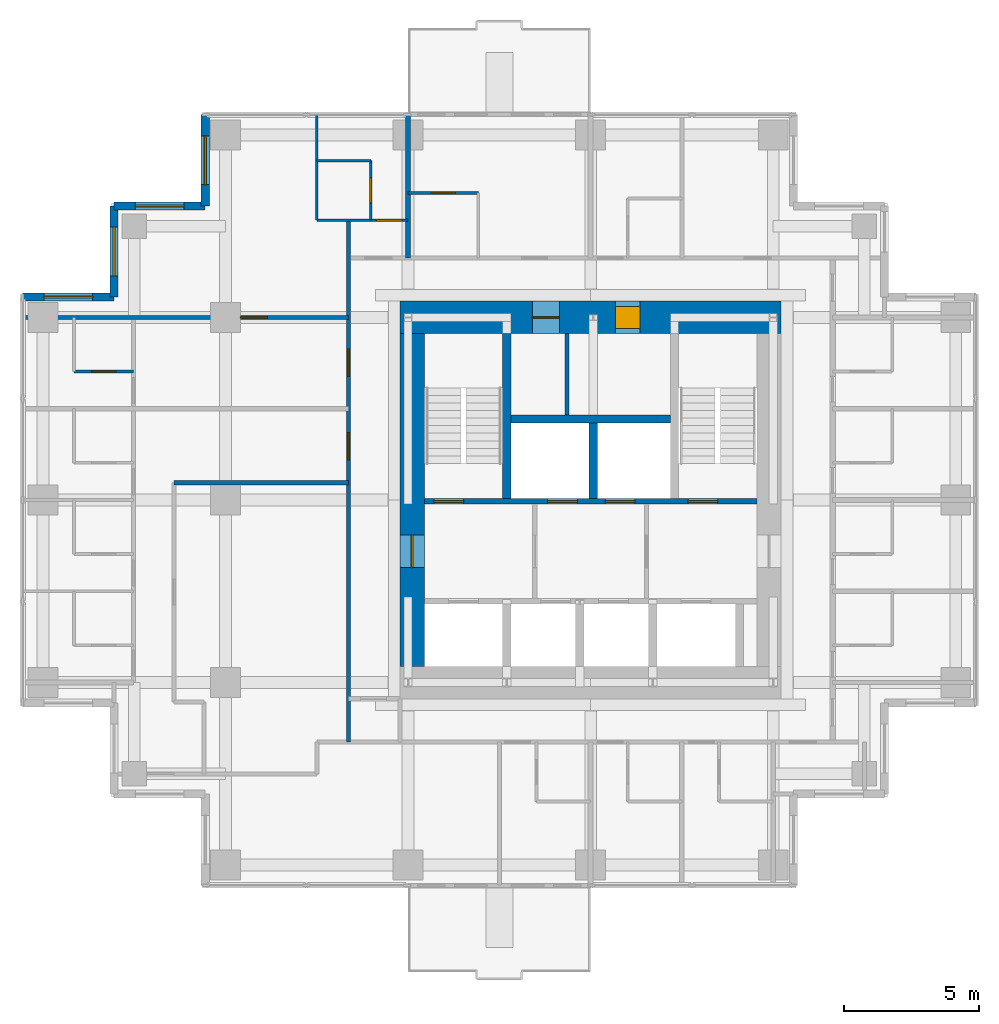
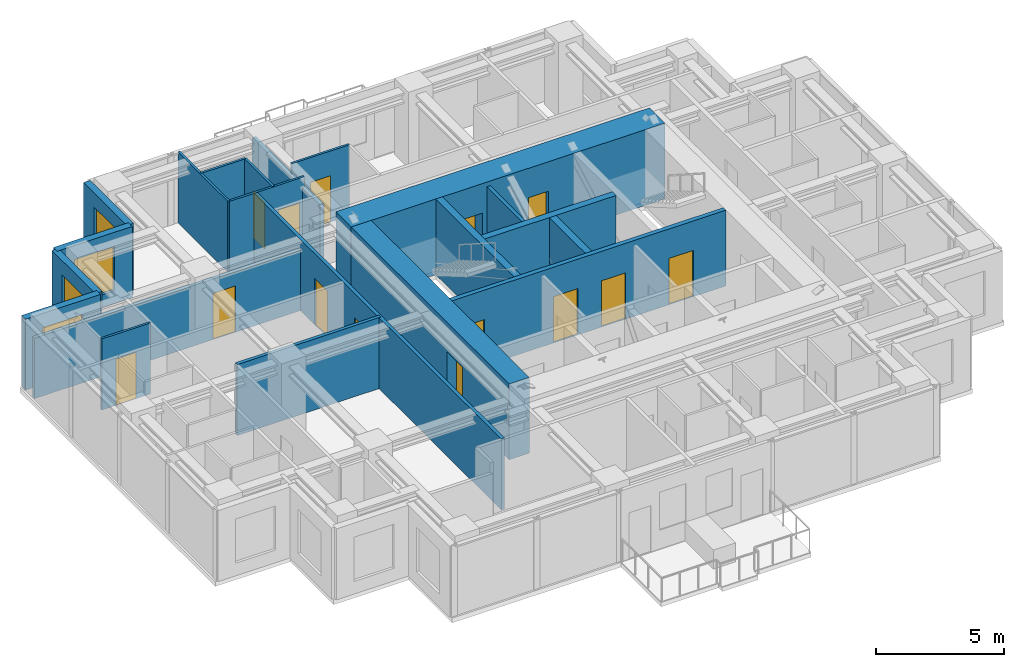
# One storey, part 5 of 8: 21 walls, 14 doors, 4 windows, 18 openings.
"""IFC4 building model written with IfcOpenShell, lengths in metres."""

from ifc_helpers import new_model, si_unit, direction, frame, frame_2d, origin, place, context, subcontext, project, spatial, rectangle, extrude, material, layer, layer_set, type_object, element, fill, save


model = new_model("IFC4")

# Units and contexts
model_context = context("Model", 3, precision=1e-05, world=origin(), true_north=direction((0.0, 1.0)))
body_context = subcontext(model_context, "Body", "Model", "MODEL_VIEW")
ifc_project = project(units=[si_unit("LENGTHUNIT", "METRE"), si_unit("AREAUNIT", "SQUARE_METRE"), si_unit("VOLUMEUNIT", "CUBIC_METRE"), si_unit("PLANEANGLEUNIT", "RADIAN"), si_unit("MASSUNIT", "GRAM", prefix="KILO")], contexts=[model_context])

# Site, building, storey
site_placement = place(None, origin())
site = spatial("IfcSite", under=ifc_project, at=site_placement, CompositionType="ELEMENT")
building_placement = place(site_placement, origin())
building = spatial("IfcBuilding", under=site, at=building_placement, Name="Nyansa Garden Tower", CompositionType="ELEMENT")
storey_placement = place(building_placement, frame((0.0, 0.0, 218.699951171875)))
storey = spatial("IfcBuildingStorey", under=building, at=storey_placement, Name="L59", CompositionType="ELEMENT", Elevation=218.699951171875)

# Wall
ifc_material_1 = material(Name="Dense blockwork, plastered both sides, 55 dB", Category="masonry")
ifc_layer_1 = layer(ifc_material_1, 0.175048828125)
ifc_layer_set_1 = layer_set([ifc_layer_1], Name="Acoustic party wall PW175")
wall_type_1 = type_object("IfcWallType", Name="Acoustic party wall PW175", PredefinedType="PARTITIONING", material=ifc_layer_set_1)
wall_1_placement = place(storey_placement, frame((13.5, 29.199951171875, 0.0), z_axis=(0.0, 0.0, 1.0), x_axis=(0.0, 1.0, 0.0)))
element("IfcWall", 1, at=wall_1_placement, inside=storey, type_object=wall_type_1, Name="Party wall", PredefinedType="PARTITIONING", context=body_context, shape_type="SweptSolid", body=[
    extrude(rectangle(XDim=5.283935546875, YDim=0.175048828125, at=frame_2d((2.64208984375, 0.0))), origin(), (0.0, 0.0, 1.0), 2.876953125),
])

# Wall, openings, doors
ifc_material_2 = material(Name="Concrete C70/85", Category="concrete")
ifc_layer_2 = layer(ifc_material_2, 0.199951171875)
ifc_layer_set_2 = layer_set([ifc_layer_2], Name="Core inner wall CI200")
wall_type_2 = type_object("IfcWallType", Name="Core inner wall CI200", PredefinedType="SHEAR", material=ifc_layer_set_2)
wall_2_placement = place(storey_placement, frame((14.10009765625, 20.199951171875, 0.0), z_axis=(0.0, 0.0, 1.0), x_axis=(1.0, 0.0, 0.0)))
wall_2 = element("IfcWall", 2, at=wall_2_placement, inside=storey, type_object=wall_type_2, Name="Core inner wall L59", PredefinedType="SHEAR", context=body_context, shape_type="SweptSolid", body=[
    extrude(rectangle(XDim=12.2998046875, YDim=0.199951171875, at=frame_2d((6.14990234375, 0.0))), origin(), (0.0, 0.0, 1.0), 3.60009765625),
])
opening_1_placement = place(wall_2_placement, frame((4.56005859375, 0.0, 0.0)))
opening_1 = element("IfcOpeningElement", 3, at=opening_1_placement, cuts=wall_2, Name="Opening LD-B", PredefinedType="OPENING", context=body_context, shape_type="SweptSolid", body=[
    extrude(rectangle(XDim=1.10009765625, YDim=2.199951171875, at=frame_2d((0.550048828125, 1.10009765625))), frame((0.0, 0.10986328125, 0.0), z_axis=(0.0, -1.0, 0.0), x_axis=(1.0, 0.0, 0.0)), (0.0, 0.0, 1.0), 0.219970703125),
])
opening_2_placement = place(wall_2_placement, frame((6.699951171875, 0.0, 0.0)))
opening_2 = element("IfcOpeningElement", 4, at=opening_2_placement, cuts=wall_2, Name="Opening LD-B", PredefinedType="OPENING", context=body_context, shape_type="SweptSolid", body=[
    extrude(rectangle(XDim=1.10009765625, YDim=2.199951171875, at=frame_2d((0.550048828125, 1.10009765625))), frame((0.0, 0.10986328125, 0.0), z_axis=(0.0, -1.0, 0.0), x_axis=(1.0, 0.0, 0.0)), (0.0, 0.0, 1.0), 0.219970703125),
])
opening_3_placement = place(wall_2_placement, frame((0.35009765625, 0.0, 0.0)))
opening_3 = element("IfcOpeningElement", 5, at=opening_3_placement, cuts=wall_2, Name="Opening D05", PredefinedType="OPENING", context=body_context, shape_type="SweptSolid", body=[
    extrude(rectangle(XDim=1.10009765625, YDim=2.199951171875, at=frame_2d((0.550048828125, 1.10009765625))), frame((0.0, 0.10986328125, 0.0), z_axis=(0.0, -1.0, 0.0), x_axis=(1.0, 0.0, 0.0)), (0.0, 0.0, 1.0), 0.219970703125),
])
opening_4_placement = place(wall_2_placement, frame((9.75, 0.0, 0.0)))
opening_4 = element("IfcOpeningElement", 6, at=opening_4_placement, cuts=wall_2, Name="Opening D05", PredefinedType="OPENING", context=body_context, shape_type="SweptSolid", body=[
    extrude(rectangle(XDim=1.10009765625, YDim=2.199951171875, at=frame_2d((0.550048828125, 1.10009765625))), frame((0.0, 0.10986328125, 0.0), z_axis=(0.0, -1.0, 0.0), x_axis=(1.0, 0.0, 0.0)), (0.0, 0.0, 1.0), 0.219970703125),
])
ifc_material_3 = material(Name="Stainless steel centre-opening landing door of the high-rise lift, E 120", Category="steel")
door_type_1 = type_object("IfcDoorType", Name="Lift landing door LD-B 1100x2200", OperationType="DOUBLE_DOOR_SLIDING", PredefinedType="DOOR", material=ifc_material_3)
door_1_placement = place(opening_1_placement, origin())
door_1 = element("IfcDoor", 7, at=door_1_placement, inside=storey, type_object=door_type_1, Name="Landing door B3", OperationType="DOUBLE_DOOR_SLIDING", OverallHeight=2.199951171875, OverallWidth=1.10009765625, PredefinedType="DOOR", context=body_context, shape_type="SweptSolid", body=[
    extrude(rectangle(XDim=1.10009765625, YDim=2.199951171875, at=frame_2d((0.550048828125, 1.10009765625))), frame((0.0, 0.02490234375, 0.0), z_axis=(0.0, -1.0, 0.0), x_axis=(1.0, 0.0, 0.0)), (0.0, 0.0, 1.0), 0.050048828125),
])
fill(opening_1, door_1)
door_2_placement = place(opening_2_placement, origin())
door_2 = element("IfcDoor", 8, at=door_2_placement, inside=storey, type_object=door_type_1, Name="Landing door B4", OperationType="DOUBLE_DOOR_SLIDING", OverallHeight=2.199951171875, OverallWidth=1.10009765625, PredefinedType="DOOR", context=body_context, shape_type="SweptSolid", body=[
    extrude(rectangle(XDim=1.10009765625, YDim=2.199951171875, at=frame_2d((0.550048828125, 1.10009765625))), frame((0.0, 0.02490234375, 0.0), z_axis=(0.0, -1.0, 0.0), x_axis=(1.0, 0.0, 0.0)), (0.0, 0.0, 1.0), 0.050048828125),
])
fill(opening_2, door_2)
ifc_material_4 = material(Name="Steel door, 120 minute fire resisting", Category="steel")
door_type_2 = type_object("IfcDoorType", Name="Stair door D05 1100x2200", OperationType="SINGLE_SWING_LEFT", PredefinedType="DOOR", material=ifc_material_4)
door_3_placement = place(opening_3_placement, origin())
door_3 = element("IfcDoor", 9, at=door_3_placement, inside=storey, type_object=door_type_2, Name="Stair S1 door", OperationType="SINGLE_SWING_LEFT", OverallHeight=2.199951171875, OverallWidth=1.10009765625, PredefinedType="DOOR", context=body_context, shape_type="SweptSolid", body=[
    extrude(rectangle(XDim=1.10009765625, YDim=2.199951171875, at=frame_2d((0.550048828125, 1.10009765625))), frame((0.0, 0.02490234375, 0.0), z_axis=(0.0, -1.0, 0.0), x_axis=(1.0, 0.0, 0.0)), (0.0, 0.0, 1.0), 0.050048828125),
])
fill(opening_3, door_3)
door_4_placement = place(opening_4_placement, origin())
door_4 = element("IfcDoor", 10, at=door_4_placement, inside=storey, type_object=door_type_2, Name="Stair S2 door", OperationType="SINGLE_SWING_LEFT", OverallHeight=2.199951171875, OverallWidth=1.10009765625, PredefinedType="DOOR", context=body_context, shape_type="SweptSolid", body=[
    extrude(rectangle(XDim=1.10009765625, YDim=2.199951171875, at=frame_2d((0.550048828125, 1.10009765625))), frame((0.0, 0.02490234375, 0.0), z_axis=(0.0, -1.0, 0.0), x_axis=(1.0, 0.0, 0.0)), (0.0, 0.0, 1.0), 0.050048828125),
])
fill(opening_4, door_4)

# Walls
ifc_material_5 = material(Name="Concrete C70/85", Category="concrete")
ifc_layer_3 = layer(ifc_material_5, 0.300048828125)
ifc_layer_set_3 = layer_set([ifc_layer_3], Name="Core inner wall CI300")
wall_type_3 = type_object("IfcWallType", Name="Core inner wall CI300", PredefinedType="SHEAR", material=ifc_layer_set_3)
wall_3_placement = place(storey_placement, frame((17.14990234375, 20.300048828125, 0.0), z_axis=(0.0, 0.0, 1.0), x_axis=(0.0, 1.0, 0.0)))
element("IfcWall", 11, at=wall_3_placement, inside=storey, type_object=wall_type_3, Name="Core inner wall L59", PredefinedType="SHEAR", context=body_context, shape_type="SweptSolid", body=[
    extrude(rectangle(XDim=6.099853515625, YDim=0.300048828125, at=frame_2d((3.0498046875, 0.0))), origin(), (0.0, 0.0, 1.0), 3.60009765625),
])
wall_4_placement = place(storey_placement, frame((20.35009765625, 20.300048828125, 0.0), z_axis=(0.0, 0.0, 1.0), x_axis=(0.0, 1.0, 0.0)))
element("IfcWall", 12, at=wall_4_placement, inside=storey, type_object=wall_type_3, Name="Core inner wall L59", PredefinedType="SHEAR", context=body_context, shape_type="SweptSolid", body=[
    extrude(rectangle(XDim=2.800048828125, YDim=0.300048828125, at=frame_2d((1.39990234375, 0.0))), origin(), (0.0, 0.0, 1.0), 3.60009765625),
])
wall_5_placement = place(storey_placement, frame((17.300048828125, 23.25, 0.0), z_axis=(0.0, 0.0, 1.0), x_axis=(1.0, 0.0, 0.0)))
element("IfcWall", 13, at=wall_5_placement, inside=storey, type_object=wall_type_3, Name="Core inner wall L59", PredefinedType="SHEAR", context=body_context, shape_type="SweptSolid", body=[
    extrude(rectangle(XDim=5.89990234375, YDim=0.300048828125, at=frame_2d((2.949951171875, 0.0))), origin(), (0.0, 0.0, 1.0), 3.60009765625),
])

# Wall, openings, doors
ifc_material_6 = material(Name="Concrete C80/95", Category="concrete")
ifc_layer_4 = layer(ifc_material_6, 1.199951171875)
ifc_layer_set_4 = layer_set([ifc_layer_4], Name="Core wall CW1200")
wall_type_4 = type_object("IfcWallType", Name="Core wall CW1200", PredefinedType="SHEAR", material=ifc_layer_set_4)
wall_6_placement = place(storey_placement, frame((27.300048828125, 27.0, 0.0), z_axis=(0.0, 0.0, 1.0), x_axis=(-1.0, 0.0, 0.0)))
wall_6 = element("IfcWall", 14, at=wall_6_placement, inside=storey, type_object=wall_type_4, Name="Core wall N L59", PredefinedType="SHEAR", context=body_context, shape_type="SweptSolid", body=[
    extrude(rectangle(XDim=14.10009765625, YDim=1.199951171875, at=frame_2d((7.050048828125, 0.0))), origin(), (0.0, 0.0, 1.0), 3.60009765625),
])
opening_5_placement = place(wall_6_placement, frame((5.22509765625, 0.0, 0.0)))
opening_5 = element("IfcOpeningElement", 15, at=opening_5_placement, cuts=wall_6, Name="Opening D15", PredefinedType="OPENING", context=body_context, shape_type="SweptSolid", body=[
    extrude(rectangle(XDim=0.89990234375, YDim=2.199951171875, at=frame_2d((0.449951171875, 1.10009765625))), frame((0.0, 0.60986328125, 0.0), z_axis=(0.0, -1.0, 0.0), x_axis=(1.0, 0.0, 0.0)), (0.0, 0.0, 1.0), 1.219970703125),
])
opening_6_placement = place(wall_6_placement, frame((8.199951171875, 0.0, 0.0)))
opening_6 = element("IfcOpeningElement", 16, at=opening_6_placement, cuts=wall_6, Name="Opening D07", PredefinedType="OPENING", context=body_context, shape_type="SweptSolid", body=[
    extrude(rectangle(XDim=1.0, YDim=2.199951171875, at=frame_2d((0.5, 1.10009765625))), frame((0.0, 0.60986328125, 0.0), z_axis=(0.0, -1.0, 0.0), x_axis=(1.0, 0.0, 0.0)), (0.0, 0.0, 1.0), 1.219970703125),
])
ifc_material_7 = material(Name="Timber flush door, 60 minute fire resisting, self-closing", Category="wood")
door_type_3 = type_object("IfcDoorType", Name="Core room door D15 900x2200", OperationType="SINGLE_SWING_LEFT", PredefinedType="DOOR", material=ifc_material_7)
door_5_placement = place(opening_5_placement, origin())
door_5 = element("IfcDoor", 17, at=door_5_placement, inside=storey, type_object=door_type_3, Name="Core room door", OperationType="SINGLE_SWING_LEFT", OverallHeight=2.199951171875, OverallWidth=0.89990234375, PredefinedType="DOOR", context=body_context, shape_type="SweptSolid", body=[
    extrude(rectangle(XDim=0.89990234375, YDim=2.199951171875, at=frame_2d((0.449951171875, 1.10009765625))), frame((0.0, 0.39990234375, 0.0), z_axis=(0.0, -1.0, 0.0), x_axis=(1.0, 0.0, 0.0)), (0.0, 0.0, 1.0), 0.800048828125),
])
fill(opening_5, door_5)
ifc_material_8 = material(Name="Steel door, 120 minute fire resisting", Category="steel")
door_type_4 = type_object("IfcDoorType", Name="Riser door D07 1000x2200", OperationType="SINGLE_SWING_LEFT", PredefinedType="DOOR", material=ifc_material_8)
door_6_placement = place(opening_6_placement, origin())
door_6 = element("IfcDoor", 18, at=door_6_placement, inside=storey, type_object=door_type_4, Name="Riser and refuse room door", OperationType="SINGLE_SWING_LEFT", OverallHeight=2.199951171875, OverallWidth=1.0, PredefinedType="DOOR", context=body_context, shape_type="SweptSolid", body=[
    extrude(rectangle(XDim=1.0, YDim=2.199951171875, at=frame_2d((0.5, 1.10009765625))), frame((0.0, 0.02490234375, 0.0), z_axis=(0.0, -1.0, 0.0), x_axis=(1.0, 0.0, 0.0)), (0.0, 0.0, 1.0), 0.050048828125),
])
fill(opening_6, door_6)

# Wall, opening, door
ifc_material_9 = material(Name="Concrete C80/95", Category="concrete")
ifc_layer_5 = layer(ifc_material_9, 0.89990234375)
ifc_layer_set_5 = layer_set([ifc_layer_5], Name="Core wall CW900")
wall_type_5 = type_object("IfcWallType", Name="Core wall CW900", PredefinedType="SHEAR", material=ifc_layer_set_5)
wall_7_placement = place(storey_placement, frame((13.64990234375, 26.39990234375, 0.0), z_axis=(0.0, 0.0, 1.0), x_axis=(0.0, -1.0, 0.0)))
wall_7 = element("IfcWall", 19, at=wall_7_placement, inside=storey, type_object=wall_type_5, Name="Core wall W L59", PredefinedType="SHEAR", context=body_context, shape_type="SweptSolid", body=[
    extrude(rectangle(XDim=12.2998046875, YDim=0.89990234375, at=frame_2d((6.14990234375, 0.0))), origin(), (0.0, 0.0, 1.0), 3.60009765625),
])
opening_7_placement = place(wall_7_placement, frame((7.449951171875, 0.0, 0.0)))
opening_7 = element("IfcOpeningElement", 20, at=opening_7_placement, cuts=wall_7, Name="Opening D06", PredefinedType="OPENING", context=body_context, shape_type="SweptSolid", body=[
    extrude(rectangle(XDim=1.199951171875, YDim=2.199951171875, at=frame_2d((0.60009765625, 1.10009765625))), frame((0.0, 0.4599609375, 0.0), z_axis=(0.0, -1.0, 0.0), x_axis=(1.0, 0.0, 0.0)), (0.0, 0.0, 1.0), 0.919921875),
])
ifc_material_10 = material(Name="Steel door, 120 minute fire resisting", Category="steel")
door_type_5 = type_object("IfcDoorType", Name="Lobby door D06 1200x2200", OperationType="DOUBLE_DOOR_SINGLE_SWING", PredefinedType="DOOR", material=ifc_material_10)
door_7_placement = place(opening_7_placement, origin())
door_7 = element("IfcDoor", 21, at=door_7_placement, inside=storey, type_object=door_type_5, Name="Lift lobby door west", OperationType="DOUBLE_DOOR_SINGLE_SWING", OverallHeight=2.199951171875, OverallWidth=1.199951171875, PredefinedType="DOOR", context=body_context, shape_type="SweptSolid", body=[
    extrude(rectangle(XDim=1.199951171875, YDim=2.199951171875, at=frame_2d((0.60009765625, 1.10009765625))), frame((0.0, 0.02490234375, 0.0), z_axis=(0.0, -1.0, 0.0), x_axis=(1.0, 0.0, 0.0)), (0.0, 0.0, 1.0), 0.050048828125),
])
fill(opening_7, door_7)

# Wall
ifc_material_11 = material(Name="Blockwork, plastered both sides", Category="masonry")
ifc_layer_6 = layer(ifc_material_11, 0.14990234375)
ifc_layer_set_6 = layer_set([ifc_layer_6], Name="Partition PW150")
wall_type_6 = type_object("IfcWallType", Name="Partition PW150", PredefinedType="PARTITIONING", material=ifc_layer_set_6)
wall_8_placement = place(storey_placement, frame((19.375, 23.39990234375, 0.0), z_axis=(0.0, 0.0, 1.0), x_axis=(0.0, 1.0, 0.0)))
element("IfcWall", 22, at=wall_8_placement, inside=storey, type_object=wall_type_6, Name="Partition", PredefinedType="PARTITIONING", context=body_context, shape_type="SweptSolid", body=[
    extrude(rectangle(XDim=3.0, YDim=0.14990234375, at=frame_2d((1.5, 0.0))), origin(), (0.0, 0.0, 1.0), 3.375),
])

# Wall, opening, door
wall_9_placement = place(storey_placement, frame((-0.73388671875, 27.0, 0.0), z_axis=(0.0, 0.0, 1.0), x_axis=(1.0, 0.0, 0.0)))
wall_9 = element("IfcWall", 23, at=wall_9_placement, inside=storey, type_object=wall_type_6, Name="Partition", PredefinedType="PARTITIONING", context=body_context, shape_type="SweptSolid", body=[
    extrude(rectangle(XDim=12.033935546875, YDim=0.14990234375, at=frame_2d((6.01708984375, 0.0))), origin(), (0.0, 0.0, 1.0), 2.876953125),
])
opening_8_placement = place(wall_9_placement, frame((8.033935546875, 0.0, 0.0)))
opening_8 = element("IfcOpeningElement", 24, at=opening_8_placement, cuts=wall_9, Name="Opening D03", PredefinedType="OPENING", context=body_context, shape_type="SweptSolid", body=[
    extrude(rectangle(XDim=1.0, YDim=2.199951171875, at=frame_2d((0.5, 1.10009765625))), frame((0.0, 0.0849609375, 0.0), z_axis=(0.0, -1.0, 0.0), x_axis=(1.0, 0.0, 0.0)), (0.0, 0.0, 1.0), 0.169921875),
])
ifc_material_12 = material(Name="Timber flush door, 60 minute fire resisting", Category="wood")
door_type_6 = type_object("IfcDoorType", Name="Cluster entrance door D03 1000x2200", OperationType="SINGLE_SWING_LEFT", PredefinedType="DOOR", material=ifc_material_12)
door_8_placement = place(opening_8_placement, origin())
door_8 = element("IfcDoor", 25, at=door_8_placement, inside=storey, type_object=door_type_6, Name="Door L59-043", OperationType="SINGLE_SWING_LEFT", OverallHeight=2.199951171875, OverallWidth=1.0, PredefinedType="DOOR", context=body_context, shape_type="SweptSolid", body=[
    extrude(rectangle(XDim=1.0, YDim=2.199951171875, at=frame_2d((0.5, 1.10009765625))), frame((0.0, 0.02490234375, 0.0), z_axis=(0.0, -1.0, 0.0), x_axis=(1.0, 0.0, 0.0)), (0.0, 0.0, 1.0), 0.050048828125),
])
fill(opening_8, door_8)

# Wall
wall_10_placement = place(storey_placement, frame((4.85009765625, 20.886962890625, 0.0), z_axis=(0.0, 0.0, 1.0), x_axis=(1.0, 0.0, 0.0)))
element("IfcWall", 26, at=wall_10_placement, inside=storey, type_object=wall_type_6, Name="Partition", PredefinedType="PARTITIONING", context=body_context, shape_type="SweptSolid", body=[
    extrude(rectangle(XDim=6.449951171875, YDim=0.14990234375, at=frame_2d((3.22509765625, 0.0))), origin(), (0.0, 0.0, 1.0), 3.375),
])

# Wall, openings, doors
wall_11_placement = place(storey_placement, frame((11.300048828125, 11.300048828125, 0.0), z_axis=(0.0, 0.0, 1.0), x_axis=(0.0, 1.0, 0.0)))
wall_11 = element("IfcWall", 27, at=wall_11_placement, inside=storey, type_object=wall_type_6, Name="Partition", PredefinedType="PARTITIONING", context=body_context, shape_type="SweptSolid", body=[
    extrude(rectangle(XDim=19.300048828125, YDim=0.14990234375, at=frame_2d((9.64990234375, 0.0))), origin(), (0.0, 0.0, 1.0), 3.375),
])
opening_9_placement = place(wall_11_placement, frame((13.52490234375, 0.0, 0.0)))
opening_9 = element("IfcOpeningElement", 28, at=opening_9_placement, cuts=wall_11, Name="Opening D03", PredefinedType="OPENING", context=body_context, shape_type="SweptSolid", body=[
    extrude(rectangle(XDim=1.0, YDim=2.199951171875, at=frame_2d((0.5, 1.10009765625))), frame((0.0, 0.0849609375, 0.0), z_axis=(0.0, -1.0, 0.0), x_axis=(1.0, 0.0, 0.0)), (0.0, 0.0, 1.0), 0.169921875),
])
opening_10_placement = place(wall_11_placement, frame((10.4375, 0.0, 0.0)))
opening_10 = element("IfcOpeningElement", 29, at=opening_10_placement, cuts=wall_11, Name="Opening D03", PredefinedType="OPENING", context=body_context, shape_type="SweptSolid", body=[
    extrude(rectangle(XDim=1.0, YDim=2.199951171875, at=frame_2d((0.5, 1.10009765625))), frame((0.0, 0.0849609375, 0.0), z_axis=(0.0, -1.0, 0.0), x_axis=(1.0, 0.0, 0.0)), (0.0, 0.0, 1.0), 0.169921875),
])
door_9_placement = place(opening_9_placement, origin())
door_9 = element("IfcDoor", 30, at=door_9_placement, inside=storey, type_object=door_type_6, Name="Door L59-046", OperationType="SINGLE_SWING_LEFT", OverallHeight=2.199951171875, OverallWidth=1.0, PredefinedType="DOOR", context=body_context, shape_type="SweptSolid", body=[
    extrude(rectangle(XDim=1.0, YDim=2.199951171875, at=frame_2d((0.5, 1.10009765625))), frame((0.0, 0.02490234375, 0.0), z_axis=(0.0, -1.0, 0.0), x_axis=(1.0, 0.0, 0.0)), (0.0, 0.0, 1.0), 0.050048828125),
])
fill(opening_9, door_9)
door_10_placement = place(opening_10_placement, origin())
door_10 = element("IfcDoor", 31, at=door_10_placement, inside=storey, type_object=door_type_6, Name="Door L59-053", OperationType="SINGLE_SWING_LEFT", OverallHeight=2.199951171875, OverallWidth=1.0, PredefinedType="DOOR", context=body_context, shape_type="SweptSolid", body=[
    extrude(rectangle(XDim=1.0, YDim=2.199951171875, at=frame_2d((0.5, 1.10009765625))), frame((0.0, 0.02490234375, 0.0), z_axis=(0.0, -1.0, 0.0), x_axis=(1.0, 0.0, 0.0)), (0.0, 0.0, 1.0), 0.050048828125),
])
fill(opening_10, door_10)

# Wall, opening, window
ifc_material_13 = material(Name="Turquoise glazed tile on concrete blockwork", Category="masonry")
ifc_layer_7 = layer(ifc_material_13, 0.300048828125)
ifc_layer_set_7 = layer_set([ifc_layer_7], Name="Tiled corner wall TW300")
wall_type_7 = type_object("IfcWallType", Name="Tiled corner wall TW300", PredefinedType="SOLIDWALL", material=ifc_layer_set_7)
wall_12_placement = place(storey_placement, frame((6.0, 34.5, 0.0), z_axis=(0.0, 0.0, 1.0), x_axis=(0.0, -1.0, 0.0)))
wall_12 = element("IfcWall", 32, at=wall_12_placement, inside=storey, type_object=wall_type_7, Name="Tiled corner wall L59", PredefinedType="SOLIDWALL", context=body_context, shape_type="SweptSolid", body=[
    extrude(rectangle(XDim=3.375, YDim=0.300048828125, at=frame_2d((1.6875, 0.0))), origin(), (0.0, 0.0, 1.0), 3.375),
])
opening_11_placement = place(wall_12_placement, frame((0.78759765625, 0.0, 0.60009765625)))
opening_11 = element("IfcOpeningElement", 33, at=opening_11_placement, cuts=wall_12, Name="Opening W2", PredefinedType="OPENING", context=body_context, shape_type="SweptSolid", body=[
    extrude(rectangle(XDim=1.800048828125, YDim=2.10009765625, at=frame_2d((0.89990234375, 1.050048828125))), frame((0.0, 0.159912109375, 0.0), z_axis=(0.0, -1.0, 0.0), x_axis=(1.0, 0.0, 0.0)), (0.0, 0.0, 1.0), 0.320068359375),
])
ifc_material_14 = material(Name="Black aluminium frame, dark tinted double glazing", Category="aluminium")
window_type = type_object("IfcWindowType", Name="Window W2 1800x2100", PartitioningType="SINGLE_PANEL", PredefinedType="WINDOW", material=ifc_material_14)
window_1_placement = place(opening_11_placement, origin())
window_1 = element("IfcWindow", 34, at=window_1_placement, inside=storey, type_object=window_type, Name="Corner window L59", OverallHeight=2.10009765625, OverallWidth=1.800048828125, PartitioningType="SINGLE_PANEL", PredefinedType="WINDOW", context=body_context, shape_type="SweptSolid", body=[
    extrude(rectangle(XDim=1.800048828125, YDim=2.10009765625, at=frame_2d((0.89990234375, 1.050048828125))), frame((0.0, 0.030029296875, 0.0), z_axis=(0.0, -1.0, 0.0), x_axis=(1.0, 0.0, 0.0)), (0.0, 0.0, 1.0), 0.06005859375),
])
fill(opening_11, window_1)

wall_13_placement = place(storey_placement, frame((6.0, 31.125, 0.0), z_axis=(0.0, 0.0, 1.0), x_axis=(-1.0, 0.0, 0.0)))
wall_13 = element("IfcWall", 35, at=wall_13_placement, inside=storey, type_object=wall_type_7, Name="Tiled corner wall L59", PredefinedType="SOLIDWALL", context=body_context, shape_type="SweptSolid", body=[
    extrude(rectangle(XDim=3.375, YDim=0.300048828125, at=frame_2d((1.6875, 0.0))), origin(), (0.0, 0.0, 1.0), 3.375),
])
opening_12_placement = place(wall_13_placement, frame((0.78759765625, 0.0, 0.60009765625)))
opening_12 = element("IfcOpeningElement", 36, at=opening_12_placement, cuts=wall_13, Name="Opening W2", PredefinedType="OPENING", context=body_context, shape_type="SweptSolid", body=[
    extrude(rectangle(XDim=1.800048828125, YDim=2.10009765625, at=frame_2d((0.89990234375, 1.050048828125))), frame((0.0, 0.159912109375, 0.0), z_axis=(0.0, -1.0, 0.0), x_axis=(1.0, 0.0, 0.0)), (0.0, 0.0, 1.0), 0.320068359375),
])
window_2_placement = place(opening_12_placement, origin())
window_2 = element("IfcWindow", 37, at=window_2_placement, inside=storey, type_object=window_type, Name="Corner window L59", OverallHeight=2.10009765625, OverallWidth=1.800048828125, PartitioningType="SINGLE_PANEL", PredefinedType="WINDOW", context=body_context, shape_type="SweptSolid", body=[
    extrude(rectangle(XDim=1.800048828125, YDim=2.10009765625, at=frame_2d((0.89990234375, 1.050048828125))), frame((0.0, 0.030029296875, 0.0), z_axis=(0.0, -1.0, 0.0), x_axis=(1.0, 0.0, 0.0)), (0.0, 0.0, 1.0), 0.06005859375),
])
fill(opening_12, window_2)

wall_14_placement = place(storey_placement, frame((2.625, 31.125, 0.0), z_axis=(0.0, 0.0, 1.0), x_axis=(0.0, -1.0, 0.0)))
wall_14 = element("IfcWall", 38, at=wall_14_placement, inside=storey, type_object=wall_type_7, Name="Tiled corner wall L59", PredefinedType="SOLIDWALL", context=body_context, shape_type="SweptSolid", body=[
    extrude(rectangle(XDim=3.375, YDim=0.300048828125, at=frame_2d((1.6875, 0.0))), origin(), (0.0, 0.0, 1.0), 3.375),
])
opening_13_placement = place(wall_14_placement, frame((0.78759765625, 0.0, 0.60009765625)))
opening_13 = element("IfcOpeningElement", 39, at=opening_13_placement, cuts=wall_14, Name="Opening W2", PredefinedType="OPENING", context=body_context, shape_type="SweptSolid", body=[
    extrude(rectangle(XDim=1.800048828125, YDim=2.10009765625, at=frame_2d((0.89990234375, 1.050048828125))), frame((0.0, 0.159912109375, 0.0), z_axis=(0.0, -1.0, 0.0), x_axis=(1.0, 0.0, 0.0)), (0.0, 0.0, 1.0), 0.320068359375),
])
window_3_placement = place(opening_13_placement, origin())
window_3 = element("IfcWindow", 40, at=window_3_placement, inside=storey, type_object=window_type, Name="Corner window L59", OverallHeight=2.10009765625, OverallWidth=1.800048828125, PartitioningType="SINGLE_PANEL", PredefinedType="WINDOW", context=body_context, shape_type="SweptSolid", body=[
    extrude(rectangle(XDim=1.800048828125, YDim=2.10009765625, at=frame_2d((0.89990234375, 1.050048828125))), frame((0.0, 0.030029296875, 0.0), z_axis=(0.0, -1.0, 0.0), x_axis=(1.0, 0.0, 0.0)), (0.0, 0.0, 1.0), 0.06005859375),
])
fill(opening_13, window_3)

wall_15_placement = place(storey_placement, frame((2.625, 27.75, 0.0), z_axis=(0.0, 0.0, 1.0), x_axis=(-1.0, 0.0, 0.0)))
wall_15 = element("IfcWall", 41, at=wall_15_placement, inside=storey, type_object=wall_type_7, Name="Tiled corner wall L59", PredefinedType="SOLIDWALL", context=body_context, shape_type="SweptSolid", body=[
    extrude(rectangle(XDim=3.375, YDim=0.300048828125, at=frame_2d((1.6875, 0.0))), origin(), (0.0, 0.0, 1.0), 3.375),
])
opening_14_placement = place(wall_15_placement, frame((0.78759765625, 0.0, 0.60009765625)))
opening_14 = element("IfcOpeningElement", 42, at=opening_14_placement, cuts=wall_15, Name="Opening W2", PredefinedType="OPENING", context=body_context, shape_type="SweptSolid", body=[
    extrude(rectangle(XDim=1.800048828125, YDim=2.10009765625, at=frame_2d((0.89990234375, 1.050048828125))), frame((0.0, 0.159912109375, 0.0), z_axis=(0.0, -1.0, 0.0), x_axis=(1.0, 0.0, 0.0)), (0.0, 0.0, 1.0), 0.320068359375),
])
window_4_placement = place(opening_14_placement, origin())
window_4 = element("IfcWindow", 43, at=window_4_placement, inside=storey, type_object=window_type, Name="Corner window L59", OverallHeight=2.10009765625, OverallWidth=1.800048828125, PartitioningType="SINGLE_PANEL", PredefinedType="WINDOW", context=body_context, shape_type="SweptSolid", body=[
    extrude(rectangle(XDim=1.800048828125, YDim=2.10009765625, at=frame_2d((0.89990234375, 1.050048828125))), frame((0.0, 0.030029296875, 0.0), z_axis=(0.0, -1.0, 0.0), x_axis=(1.0, 0.0, 0.0)), (0.0, 0.0, 1.0), 0.06005859375),
])
fill(opening_14, window_4)

# Wall, opening, door
ifc_material_15 = material(Name="Moisture resistant board on steel studs, tiled", Category="steel")
ifc_layer_8 = layer(ifc_material_15, 0.10009765625)
ifc_layer_set_8 = layer_set([ifc_layer_8], Name="Wet wall PW100")
wall_type_8 = type_object("IfcWallType", Name="Wet wall PW100", PredefinedType="PARTITIONING", material=ifc_layer_set_8)
wall_16_placement = place(storey_placement, frame((1.14990234375, 25.0, 0.0), z_axis=(0.0, 0.0, 1.0), x_axis=(1.0, 0.0, 0.0)))
wall_16 = element("IfcWall", 44, at=wall_16_placement, inside=storey, type_object=wall_type_8, Name="Wet wall", PredefinedType="PARTITIONING", context=body_context, shape_type="SweptSolid", body=[
    extrude(rectangle(XDim=2.2001953125, YDim=0.10009765625, at=frame_2d((1.10009765625, 0.0))), origin(), (0.0, 0.0, 1.0), 3.375),
])
opening_15_placement = place(wall_16_placement, frame((0.64990234375, 0.0, 0.0)))
opening_15 = element("IfcOpeningElement", 45, at=opening_15_placement, cuts=wall_16, Name="Opening D02", PredefinedType="OPENING", context=body_context, shape_type="SweptSolid", body=[
    extrude(rectangle(XDim=0.89990234375, YDim=2.199951171875, at=frame_2d((0.449951171875, 1.10009765625))), frame((0.0, 0.06005859375, 0.0), z_axis=(0.0, -1.0, 0.0), x_axis=(1.0, 0.0, 0.0)), (0.0, 0.0, 1.0), 0.1201171875),
])
ifc_material_16 = material(Name="Timber flush door", Category="wood")
door_type_7 = type_object("IfcDoorType", Name="En-suite door D02 900x2200", OperationType="SINGLE_SWING_RIGHT", PredefinedType="DOOR", material=ifc_material_16)
door_11_placement = place(opening_15_placement, origin())
door_11 = element("IfcDoor", 46, at=door_11_placement, inside=storey, type_object=door_type_7, Name="Door L59-045", OperationType="SINGLE_SWING_RIGHT", OverallHeight=2.199951171875, OverallWidth=0.89990234375, PredefinedType="DOOR", context=body_context, shape_type="SweptSolid", body=[
    extrude(rectangle(XDim=0.89990234375, YDim=2.199951171875, at=frame_2d((0.449951171875, 1.10009765625))), frame((0.0, 0.02490234375, 0.0), z_axis=(0.0, -1.0, 0.0), x_axis=(1.0, 0.0, 0.0)), (0.0, 0.0, 1.0), 0.050048828125),
])
fill(opening_15, door_11)

# Wall
wall_17_placement = place(storey_placement, frame((10.125, 30.60009765625, 0.0), z_axis=(0.0, 0.0, 1.0), x_axis=(0.0, 1.0, 0.0)))
element("IfcWall", 47, at=wall_17_placement, inside=storey, type_object=wall_type_8, Name="Wet wall", PredefinedType="PARTITIONING", context=body_context, shape_type="SweptSolid", body=[
    extrude(rectangle(XDim=3.8837890625, YDim=0.10009765625, at=frame_2d((1.94189453125, 0.0))), origin(), (0.0, 0.0, 1.0), 3.375),
])

# Wall, opening, door
wall_18_placement = place(storey_placement, frame((10.125, 30.60009765625, 0.0), z_axis=(0.0, 0.0, 1.0), x_axis=(1.0, 0.0, 0.0)))
wall_18 = element("IfcWall", 48, at=wall_18_placement, inside=storey, type_object=wall_type_8, Name="Wet wall", PredefinedType="PARTITIONING", context=body_context, shape_type="SweptSolid", body=[
    extrude(rectangle(XDim=3.375, YDim=0.10009765625, at=frame_2d((1.6875, 0.0))), origin(), (0.0, 0.0, 1.0), 3.375),
])
opening_16_placement = place(wall_18_placement, frame((2.199951171875, 0.0, 0.0)))
opening_16 = element("IfcOpeningElement", 49, at=opening_16_placement, cuts=wall_18, Name="Opening D14", PredefinedType="OPENING", context=body_context, shape_type="SweptSolid", body=[
    extrude(rectangle(XDim=0.949951171875, YDim=2.199951171875, at=frame_2d((0.47509765625, 1.10009765625))), frame((0.0, 0.06005859375, 0.0), z_axis=(0.0, -1.0, 0.0), x_axis=(1.0, 0.0, 0.0)), (0.0, 0.0, 1.0), 0.1201171875),
])
ifc_material_17 = material(Name="Timber flush door, 60 minute fire resisting, self-closing", Category="wood")
door_type_8 = type_object("IfcDoorType", Name="Studio entrance door D14 950x2200", OperationType="SINGLE_SWING_LEFT", PredefinedType="DOOR", material=ifc_material_17)
door_12_placement = place(opening_16_placement, origin())
door_12 = element("IfcDoor", 50, at=door_12_placement, inside=storey, type_object=door_type_8, Name="Door L59-038", OperationType="SINGLE_SWING_LEFT", OverallHeight=2.199951171875, OverallWidth=0.949951171875, PredefinedType="DOOR", context=body_context, shape_type="SweptSolid", body=[
    extrude(rectangle(XDim=0.949951171875, YDim=2.199951171875, at=frame_2d((0.47509765625, 1.10009765625))), frame((0.0, 0.02490234375, 0.0), z_axis=(0.0, -1.0, 0.0), x_axis=(1.0, 0.0, 0.0)), (0.0, 0.0, 1.0), 0.050048828125),
])
fill(opening_16, door_12)

# Wall
wall_19_placement = place(storey_placement, frame((10.125, 32.800048828125, 0.0), z_axis=(0.0, 0.0, 1.0), x_axis=(1.0, 0.0, 0.0)))
element("IfcWall", 51, at=wall_19_placement, inside=storey, type_object=wall_type_8, Name="Wet wall", PredefinedType="PARTITIONING", context=body_context, shape_type="SweptSolid", body=[
    extrude(rectangle(XDim=2.0, YDim=0.10009765625, at=frame_2d((1.0, 0.0))), origin(), (0.0, 0.0, 1.0), 3.375),
])

# Wall, opening, door
wall_20_placement = place(storey_placement, frame((12.125, 30.60009765625, 0.0), z_axis=(0.0, 0.0, 1.0), x_axis=(0.0, 1.0, 0.0)))
wall_20 = element("IfcWall", 52, at=wall_20_placement, inside=storey, type_object=wall_type_8, Name="Wet wall", PredefinedType="PARTITIONING", context=body_context, shape_type="SweptSolid", body=[
    extrude(rectangle(XDim=2.199951171875, YDim=0.10009765625, at=frame_2d((1.10009765625, 0.0))), origin(), (0.0, 0.0, 1.0), 3.375),
])
opening_17_placement = place(wall_20_placement, frame((0.64990234375, 0.0, 0.0)))
opening_17 = element("IfcOpeningElement", 53, at=opening_17_placement, cuts=wall_20, Name="Opening D02", PredefinedType="OPENING", context=body_context, shape_type="SweptSolid", body=[
    extrude(rectangle(XDim=0.89990234375, YDim=2.199951171875, at=frame_2d((0.449951171875, 1.10009765625))), frame((0.0, 0.06005859375, 0.0), z_axis=(0.0, -1.0, 0.0), x_axis=(1.0, 0.0, 0.0)), (0.0, 0.0, 1.0), 0.1201171875),
])
door_13_placement = place(opening_17_placement, origin())
door_13 = element("IfcDoor", 54, at=door_13_placement, inside=storey, type_object=door_type_7, Name="Door L59-039", OperationType="SINGLE_SWING_RIGHT", OverallHeight=2.199951171875, OverallWidth=0.89990234375, PredefinedType="DOOR", context=body_context, shape_type="SweptSolid", body=[
    extrude(rectangle(XDim=0.89990234375, YDim=2.199951171875, at=frame_2d((0.449951171875, 1.10009765625))), frame((0.0, 0.02490234375, 0.0), z_axis=(0.0, -1.0, 0.0), x_axis=(1.0, 0.0, 0.0)), (0.0, 0.0, 1.0), 0.050048828125),
])
fill(opening_17, door_13)

wall_21_placement = place(storey_placement, frame((13.5, 31.60009765625, 0.0), z_axis=(0.0, 0.0, 1.0), x_axis=(1.0, 0.0, 0.0)))
wall_21 = element("IfcWall", 55, at=wall_21_placement, inside=storey, type_object=wall_type_8, Name="Wet wall", PredefinedType="PARTITIONING", context=body_context, shape_type="SweptSolid", body=[
    extrude(rectangle(XDim=2.60009765625, YDim=0.10009765625, at=frame_2d((1.300048828125, 0.0))), origin(), (0.0, 0.0, 1.0), 3.375),
])
opening_18_placement = place(wall_21_placement, frame((0.85009765625, 0.0, 0.0)))
opening_18 = element("IfcOpeningElement", 56, at=opening_18_placement, cuts=wall_21, Name="Opening D02", PredefinedType="OPENING", context=body_context, shape_type="SweptSolid", body=[
    extrude(rectangle(XDim=0.89990234375, YDim=2.199951171875, at=frame_2d((0.449951171875, 1.10009765625))), frame((0.0, 0.06005859375, 0.0), z_axis=(0.0, -1.0, 0.0), x_axis=(1.0, 0.0, 0.0)), (0.0, 0.0, 1.0), 0.1201171875),
])
door_14_placement = place(opening_18_placement, origin())
door_14 = element("IfcDoor", 57, at=door_14_placement, inside=storey, type_object=door_type_7, Name="Door L59-037", OperationType="SINGLE_SWING_RIGHT", OverallHeight=2.199951171875, OverallWidth=0.89990234375, PredefinedType="DOOR", context=body_context, shape_type="SweptSolid", body=[
    extrude(rectangle(XDim=0.89990234375, YDim=2.199951171875, at=frame_2d((0.449951171875, 1.10009765625))), frame((0.0, 0.02490234375, 0.0), z_axis=(0.0, -1.0, 0.0), x_axis=(1.0, 0.0, 0.0)), (0.0, 0.0, 1.0), 0.050048828125),
])
fill(opening_18, door_14)

save(model, "model.ifc")
